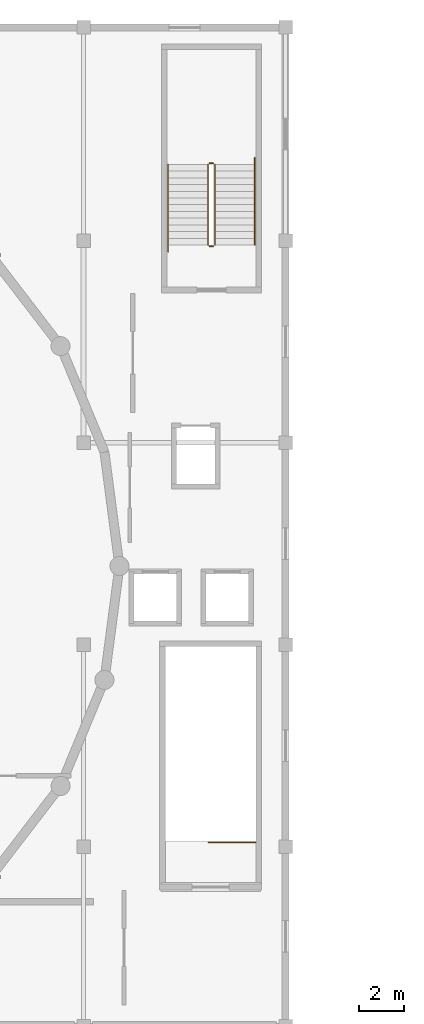
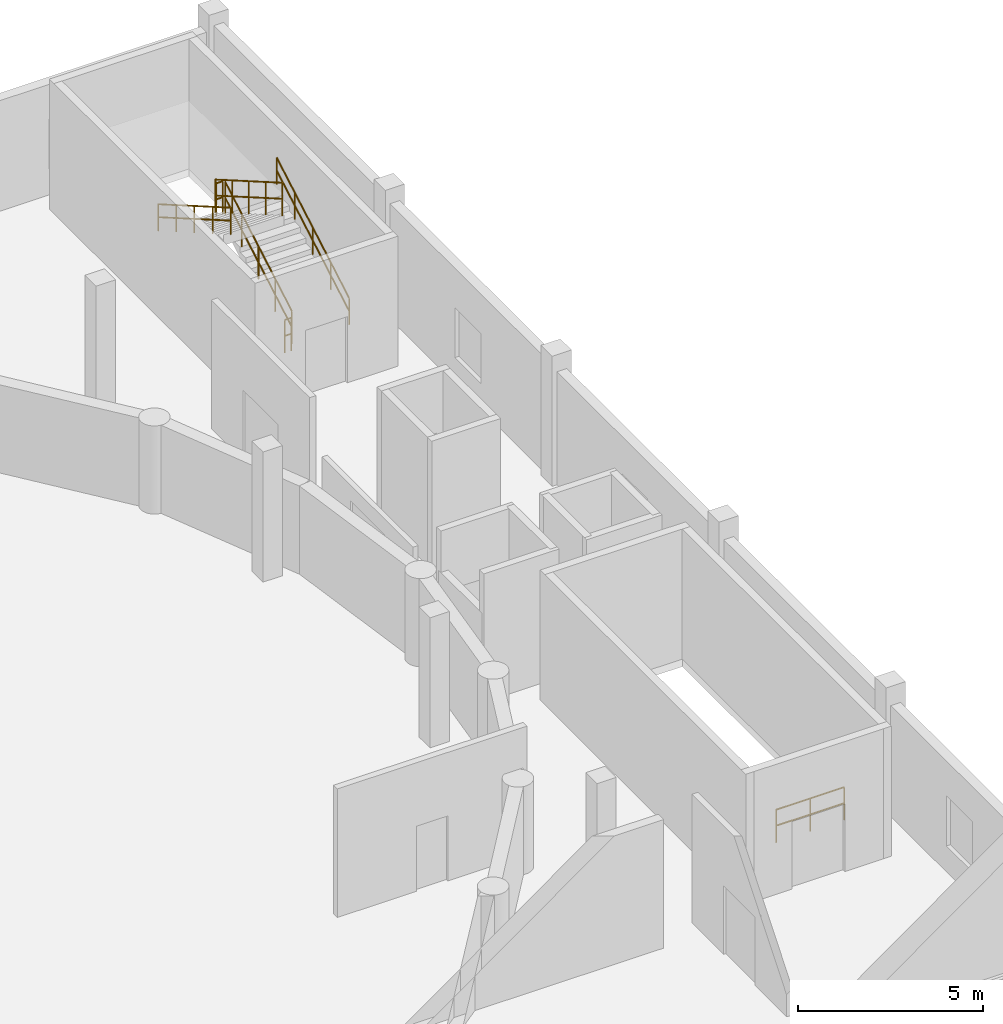
# One storey, part 9 of 10: 7 railings.
"""IFC4 building model written with IfcOpenShell, lengths in metres."""

from ifc_helpers import new_model, si_unit, direction, frame, origin, origin_2d, place, context, subcontext, project, spatial, circle, extrude, material, type_object, element, save


model = new_model("IFC4")

# Units and contexts
model_context = context("Model", 3, precision=1e-05, world=origin(), true_north=direction((0.0, 1.0)))
body_context = subcontext(model_context, "Body", "Model", "MODEL_VIEW")
ifc_project = project(units=[si_unit("LENGTHUNIT", "METRE"), si_unit("AREAUNIT", "SQUARE_METRE"), si_unit("VOLUMEUNIT", "CUBIC_METRE"), si_unit("PLANEANGLEUNIT", "RADIAN"), si_unit("MASSUNIT", "GRAM", prefix="KILO")], contexts=[model_context])

# Site, building, storey
site_placement = place(None, origin())
site = spatial("IfcSite", under=ifc_project, at=site_placement, CompositionType="ELEMENT")
building_placement = place(site_placement, origin())
building = spatial("IfcBuilding", under=site, at=building_placement, Name="Marnock Terrace Opera House", CompositionType="ELEMENT")
storey_placement = place(building_placement, frame((0.0, 0.0, 23.699951171875)))
storey = spatial("IfcBuildingStorey", under=building, at=storey_placement, Name="L05", CompositionType="ELEMENT", Elevation=23.699951171875)

# Railings
ifc_material = material(Name="Architectural bronze balustrade")
railing_type_1 = type_object("IfcRailingType", Name="RL-GUARD-1100", PredefinedType="GUARDRAIL", material=ifc_material)
railing_1_placement = place(storey_placement, frame((107.679931640625, 48.18994140625, 0.0)))
element("IfcRailing", 1, at=railing_1_placement, inside=storey, type_object=railing_type_1, Name="L05 ST-02 top well guard 1", PredefinedType="GUARDRAIL", context=body_context, shape_type="SweptSolid", body=[
    extrude(circle(Radius=0.02392578125, at=origin_2d()), frame((0.0, 0.0, 1.076171875), z_axis=(-1.0, 0.0, 0.0), x_axis=(0.0, -1.0, 0.0)), (0.0, 0.0, 1.0), 2.119873046875),
    extrude(circle(Radius=0.02392578125, at=origin_2d()), frame((0.0, 0.0, 0.550048828125), z_axis=(-1.0, 0.0, 0.0), x_axis=(0.0, -1.0, 0.0)), (0.0, 0.0, 1.0), 2.119873046875),
    extrude(circle(Radius=0.02099609375, at=origin_2d()), origin(), (0.0, 0.0, 1.0), 1.052001953125),
    extrude(circle(Radius=0.02099609375, at=origin_2d()), frame((-1.06005859375, 0.0, 0.0)), (0.0, 0.0, 1.0), 1.052001953125),
    extrude(circle(Radius=0.02099609375, at=origin_2d()), frame((-2.119873046875, 0.0, 0.0)), (0.0, 0.0, 1.0), 1.052001953125),
])
railing_2_placement = place(storey_placement, frame((105.85009765625, 74.800048828125, 0.173095703125)))
element("IfcRailing", 2, at=railing_2_placement, inside=storey, type_object=railing_type_1, Name="L05 ST-04 stair guard 1", PredefinedType="GUARDRAIL", context=body_context, shape_type="SweptSolid", body=[
    extrude(circle(Radius=0.02392578125, at=origin_2d()), frame((0.0, 0.0, 1.076171875), z_axis=(0.0, 0.866178740119, 0.499734319579), x_axis=(-1.0, 0.0, 0.0)), (0.0, 0.0, 1.0), 4.156005859375),
    extrude(circle(Radius=0.02392578125, at=origin_2d()), frame((0.0, 0.0, 0.550048828125), z_axis=(0.0, 0.866178740119, 0.499734319579), x_axis=(-1.0, 0.0, 0.0)), (0.0, 0.0, 1.0), 4.156005859375),
    extrude(circle(Radius=0.02099609375, at=origin_2d()), origin(), (0.0, 0.0, 1.0), 1.052001953125),
    extrude(circle(Radius=0.02099609375, at=origin_2d()), frame((0.0, 0.89990234375, 0.519287109375)), (0.0, 0.0, 1.0), 1.052001953125),
    extrude(circle(Radius=0.02099609375, at=origin_2d()), frame((0.0, 1.7998046875, 1.03857421875)), (0.0, 0.0, 1.0), 1.052001953125),
    extrude(circle(Radius=0.02099609375, at=origin_2d()), frame((0.0, 2.699951171875, 1.5576171875)), (0.0, 0.0, 1.0), 1.052001953125),
    extrude(circle(Radius=0.02099609375, at=origin_2d()), frame((0.0, 3.599853515625, 2.076904296875)), (0.0, 0.0, 1.0), 1.052001953125),
])
railing_3_placement = place(storey_placement, frame((105.800048828125, 78.449951171875, 2.25)))
element("IfcRailing", 3, at=railing_3_placement, inside=storey, type_object=railing_type_1, Name="L05 ST-04 stair guard 2", PredefinedType="GUARDRAIL", context=body_context, shape_type="SweptSolid", body=[
    extrude(circle(Radius=0.02392578125, at=origin_2d()), frame((0.0, 0.0, 1.076171875), z_axis=(-1.0, 0.0, 0.0), x_axis=(0.0, -1.0, 0.0)), (0.0, 0.0, 1.0), 0.199951171875),
    extrude(circle(Radius=0.02392578125, at=origin_2d()), frame((0.0, 0.0, 0.550048828125), z_axis=(-1.0, 0.0, 0.0), x_axis=(0.0, -1.0, 0.0)), (0.0, 0.0, 1.0), 0.199951171875),
    extrude(circle(Radius=0.02099609375, at=origin_2d()), origin(), (0.0, 0.0, 1.0), 1.052001953125),
    extrude(circle(Radius=0.02099609375, at=origin_2d()), frame((-0.199951171875, 0.0, 0.0)), (0.0, 0.0, 1.0), 1.052001953125),
])
railing_4_placement = place(storey_placement, frame((105.550048828125, 78.39990234375, 2.423095703125)))
element("IfcRailing", 4, at=railing_4_placement, inside=storey, type_object=railing_type_1, Name="L05 ST-04 stair guard 3", PredefinedType="GUARDRAIL", context=body_context, shape_type="SweptSolid", body=[
    extrude(circle(Radius=0.02392578125, at=origin_2d()), frame((0.0, 0.0, 1.076171875), z_axis=(0.0, -0.866178740119, 0.499734319579), x_axis=(1.0, 0.0, 0.0)), (0.0, 0.0, 1.0), 4.156005859375),
    extrude(circle(Radius=0.02392578125, at=origin_2d()), frame((0.0, 0.0, 0.550048828125), z_axis=(0.0, -0.866178740119, 0.499734319579), x_axis=(1.0, 0.0, 0.0)), (0.0, 0.0, 1.0), 4.156005859375),
    extrude(circle(Radius=0.02099609375, at=origin_2d()), origin(), (0.0, 0.0, 1.0), 1.052001953125),
    extrude(circle(Radius=0.02099609375, at=origin_2d()), frame((0.0, -0.89990234375, 0.519287109375)), (0.0, 0.0, 1.0), 1.052001953125),
    extrude(circle(Radius=0.02099609375, at=origin_2d()), frame((0.0, -1.7998046875, 1.03857421875)), (0.0, 0.0, 1.0), 1.052001953125),
    extrude(circle(Radius=0.02099609375, at=origin_2d()), frame((0.0, -2.699951171875, 1.5576171875)), (0.0, 0.0, 1.0), 1.052001953125),
    extrude(circle(Radius=0.02099609375, at=origin_2d()), frame((0.0, -3.599853515625, 2.076904296875)), (0.0, 0.0, 1.0), 1.052001953125),
])
railing_5_placement = place(storey_placement, frame((105.800048828125, 74.75, 0.0)))
element("IfcRailing", 5, at=railing_5_placement, inside=storey, type_object=railing_type_1, Name="L05 ST-04 stair guard 4", PredefinedType="GUARDRAIL", context=body_context, shape_type="SweptSolid", body=[
    extrude(circle(Radius=0.02392578125, at=origin_2d()), frame((0.0, 0.0, 1.076171875), z_axis=(-1.0, 0.0, 0.0), x_axis=(0.0, -1.0, 0.0)), (0.0, 0.0, 1.0), 0.199951171875),
    extrude(circle(Radius=0.02392578125, at=origin_2d()), frame((0.0, 0.0, 0.550048828125), z_axis=(-1.0, 0.0, 0.0), x_axis=(0.0, -1.0, 0.0)), (0.0, 0.0, 1.0), 0.199951171875),
    extrude(circle(Radius=0.02099609375, at=origin_2d()), origin(), (0.0, 0.0, 1.0), 1.052001953125),
    extrude(circle(Radius=0.02099609375, at=origin_2d()), frame((-0.199951171875, 0.0, 0.0)), (0.0, 0.0, 1.0), 1.052001953125),
])
railing_type_2 = type_object("IfcRailingType", Name="RL-HAND-900", PredefinedType="HANDRAIL", material=ifc_material)
railing_6_placement = place(storey_placement, frame((107.6298828125, 74.800048828125, 0.18505859375)))
element("IfcRailing", 6, at=railing_6_placement, inside=storey, type_object=railing_type_2, Name="L05 ST-04 stair handrail 1", PredefinedType="HANDRAIL", context=body_context, shape_type="SweptSolid", body=[
    extrude(circle(Radius=0.02392578125, at=origin_2d()), frame((0.0, 0.0, 0.8759765625), z_axis=(0.0, 0.866180169578, 0.49973184192), x_axis=(-1.0, 0.0, 0.0)), (0.0, 0.0, 1.0), 4.50244140625),
    extrude(circle(Radius=0.02392578125, at=origin_2d()), frame((0.0, 0.0, 0.449951171875), z_axis=(0.0, 0.866180169578, 0.49973184192), x_axis=(-1.0, 0.0, 0.0)), (0.0, 0.0, 1.0), 4.50244140625),
    extrude(circle(Radius=0.02099609375, at=origin_2d()), origin(), (0.0, 0.0, 1.0), 0.851806640625),
    extrude(circle(Radius=0.02099609375, at=origin_2d()), frame((0.0, 0.97509765625, 0.5625)), (0.0, 0.0, 1.0), 0.851806640625),
    extrude(circle(Radius=0.02099609375, at=origin_2d()), frame((0.0, 1.949951171875, 1.125)), (0.0, 0.0, 1.0), 0.851806640625),
    extrude(circle(Radius=0.02099609375, at=origin_2d()), frame((0.0, 2.9248046875, 1.6875)), (0.0, 0.0, 1.0), 0.851806640625),
    extrude(circle(Radius=0.02099609375, at=origin_2d()), frame((0.0, 3.89990234375, 2.25)), (0.0, 0.0, 1.0), 0.851806640625),
])
railing_7_placement = place(storey_placement, frame((103.77001953125, 78.39990234375, 2.43505859375)))
element("IfcRailing", 7, at=railing_7_placement, inside=storey, type_object=railing_type_2, Name="L05 ST-04 stair handrail 2", PredefinedType="HANDRAIL", context=body_context, shape_type="SweptSolid", body=[
    extrude(circle(Radius=0.02392578125, at=origin_2d()), frame((0.0, 0.0, 0.8759765625), z_axis=(0.0, -0.866180169578, 0.49973184192), x_axis=(1.0, 0.0, 0.0)), (0.0, 0.0, 1.0), 4.50244140625),
    extrude(circle(Radius=0.02392578125, at=origin_2d()), frame((0.0, 0.0, 0.449951171875), z_axis=(0.0, -0.866180169578, 0.49973184192), x_axis=(1.0, 0.0, 0.0)), (0.0, 0.0, 1.0), 4.50244140625),
    extrude(circle(Radius=0.02099609375, at=origin_2d()), origin(), (0.0, 0.0, 1.0), 0.851806640625),
    extrude(circle(Radius=0.02099609375, at=origin_2d()), frame((0.0, -0.97509765625, 0.5625)), (0.0, 0.0, 1.0), 0.851806640625),
    extrude(circle(Radius=0.02099609375, at=origin_2d()), frame((0.0, -1.949951171875, 1.125)), (0.0, 0.0, 1.0), 0.851806640625),
    extrude(circle(Radius=0.02099609375, at=origin_2d()), frame((0.0, -2.9248046875, 1.6875)), (0.0, 0.0, 1.0), 0.851806640625),
    extrude(circle(Radius=0.02099609375, at=origin_2d()), frame((0.0, -3.89990234375, 2.25)), (0.0, 0.0, 1.0), 0.851806640625),
])

save(model, "model.ifc")
